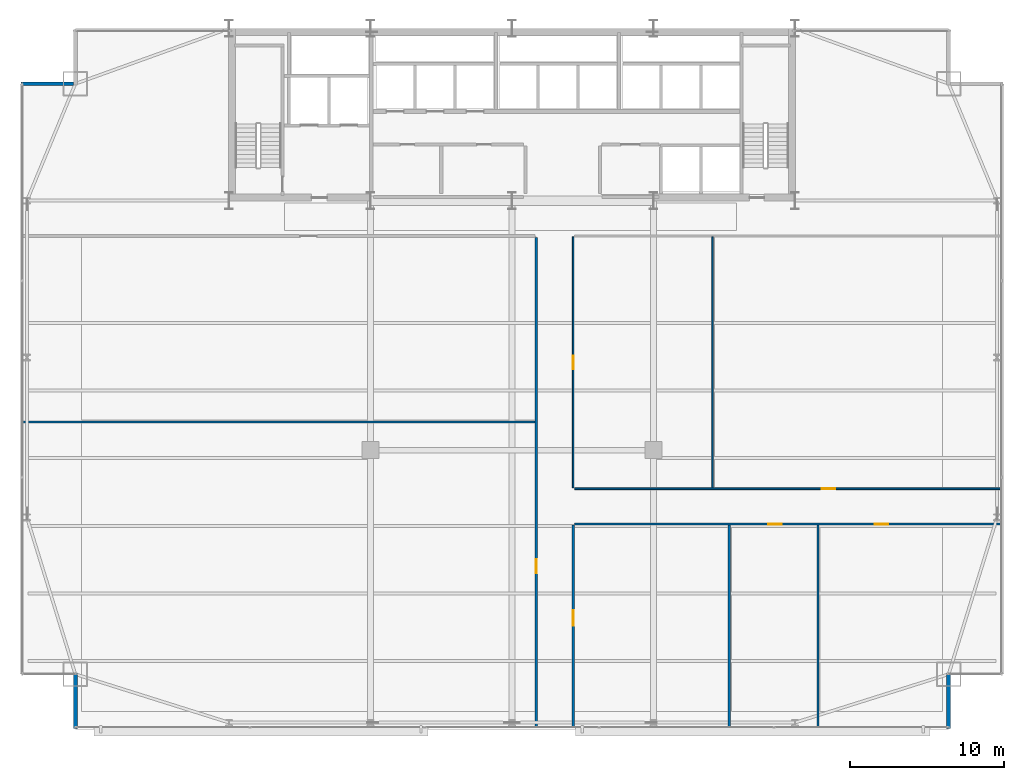
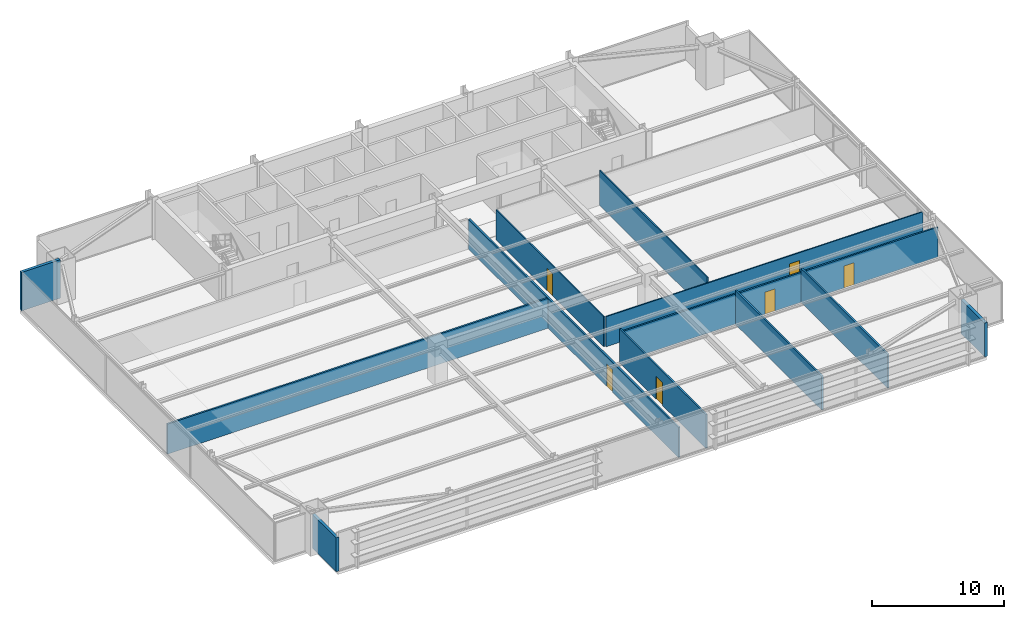
# One storey, part 28 of 32: 12 walls, 6 doors, 6 openings.
"""IFC4 building model written with IfcOpenShell, lengths in metres."""

from ifc_helpers import new_model, si_unit, direction, frame, frame_2d, origin, place, context, subcontext, project, spatial, rectangle, extrude, source, transform, mapped, material, layer, layer_set, type_object, type_shapes, element, fill, save


model = new_model("IFC4")

# Units and contexts
model_context = context("Model", 3, precision=1e-05, world=origin(), true_north=direction((0.0, 1.0)))
body_context = subcontext(model_context, "Body", "Model", "MODEL_VIEW")
ifc_project = project(units=[si_unit("LENGTHUNIT", "METRE"), si_unit("AREAUNIT", "SQUARE_METRE"), si_unit("VOLUMEUNIT", "CUBIC_METRE"), si_unit("PLANEANGLEUNIT", "RADIAN"), si_unit("MASSUNIT", "GRAM", prefix="KILO")], contexts=[model_context])

# Site, building, storey
site_placement = place(None, origin())
site = spatial("IfcSite", under=ifc_project, at=site_placement, CompositionType="ELEMENT")
building_placement = place(site_placement, origin())
building = spatial("IfcBuilding", under=site, at=building_placement, Name="Varnel Quay Broadcast Tower", CompositionType="ELEMENT")
storey_placement = place(building_placement, frame((0.0, 0.0, 78.300048828125)))
storey = spatial("IfcBuildingStorey", under=building, at=storey_placement, Name="L18", CompositionType="ELEMENT", Elevation=78.300048828125)

# Walls
ifc_material_1 = material(Name="Precast Architectural Concrete C40/50", Category="concrete")
ifc_layer_1 = layer(ifc_material_1, 0.25, Name="Precast Architectural Concrete C40/50")
ifc_layer_set_1 = layer_set([ifc_layer_1], Name="Precast Architectural Concrete C40/50")
wall_type_1 = type_object("IfcWallType", Name="Wall_ExtTerrace250", PredefinedType="SOLIDWALL", material=ifc_layer_set_1)
for number, where, z_axis, x_axis, name in (
    (1, (5.60009765625, 1.280029296875, 0.0), (0.0, 0.0, 1.0), (0.0, 1.0, 0.0), "L18 Mega-Column Notch Cladding Wall NSW2"),
    (2, (62.39990234375, 1.280029296875, 0.0), (0.0, 0.0, 1.0), (0.0, 1.0, 0.0), "L18 Mega-Column Notch Cladding Wall NSE2"),
):
    element("IfcWall", number, at=place(storey_placement, frame(where, z_axis=z_axis, x_axis=x_axis)), inside=storey, type_object=wall_type_1, Name=name, PredefinedType="SOLIDWALL", context=body_context, shape_type="SweptSolid", body=[
        extrude(rectangle(XDim=3.599853515625, YDim=0.25, at=frame_2d((1.7998046875, 0.0))), origin(), (0.0, 0.0, 1.0), 3.137939453125),
    ])
wall_1_placement = place(storey_placement, frame((2.080078125, 43.199951171875, 0.0), z_axis=(0.0, 0.0, 1.0), x_axis=(1.0, 0.0, 0.0)))
element("IfcWall", 3, at=wall_1_placement, inside=storey, type_object=wall_type_1, Name="L18 Mega-Column Notch Cladding Wall NNW1", PredefinedType="SOLIDWALL", context=body_context, shape_type="SweptSolid", body=[
    extrude(rectangle(XDim=3.389892578125, YDim=0.25, at=frame_2d((1.69482421875, 0.0))), origin(), (0.0, 0.0, 1.0), 3.56005859375),
])

# Wall, opening, door
ifc_material_2 = material(Name="Steel-Stud Fire-Rated Acoustic Gypsum Partition Assembly", Category="steel")
ifc_layer_2 = layer(ifc_material_2, 0.10498046875, Name="Steel-Stud Fire-Rated Acoustic Gypsum Partition Assembly")
ifc_layer_set_2 = layer_set([ifc_layer_2], Name="Steel-Stud Fire-Rated Acoustic Gypsum Partition Assembly")
wall_type_2 = type_object("IfcWallType", Name="Wall_Partition105", PredefinedType="PARTITIONING", material=ifc_layer_set_2)
wall_2_placement = place(storey_placement, frame((38.080078125, 16.860107421875, 0.0), z_axis=(0.0, 0.0, 1.0), x_axis=(1.0, 0.0, 0.0)))
wall_2 = element("IfcWall", 4, at=wall_2_placement, inside=storey, type_object=wall_type_2, Name="L18 Lens & Rigging Store 6 Partition 15", PredefinedType="PARTITIONING", context=body_context, shape_type="SweptSolid", body=[
    extrude(rectangle(XDim=27.739990234375, YDim=0.10498046875, at=frame_2d((13.8701171875, 0.0))), origin(), (0.0, 0.0, 1.0), 2.781982421875),
])
opening_1_placement = place(wall_2_placement, frame((16.080078125, 0.0, 0.0)))
opening_1 = element("IfcOpeningElement", 5, at=opening_1_placement, cuts=wall_2, Name="Opening D-L18-10", PredefinedType="OPENING", context=body_context, shape_type="SweptSolid", body=[
    extrude(rectangle(XDim=0.8798828125, YDim=2.06005859375, at=frame_2d((0.43994140625, 1.030029296875))), frame((0.0, 0.0625, 0.0), z_axis=(0.0, -1.0, 0.0), x_axis=(1.0, 0.0, 0.0)), (0.0, 0.0, 1.0), 0.125),
])
ifc_material_3 = material(Name="Solid-Core Fire-Rated Acoustic Oak Veneer Door", Category="wood")
door_type_1 = type_object("IfcDoorType", Name="Door_Booth880", OperationType="NOTDEFINED", PredefinedType="DOOR", material=ifc_material_3)
shared_shape_1 = source(origin(), body_context, "Body", "SweptSolid", [
    extrude(rectangle(XDim=0.8798828125, YDim=2.06005859375, at=frame_2d((0.43994140625, 1.030029296875))), frame((0.0, 0.02490234375, 0.0), z_axis=(0.0, -1.0, 0.0), x_axis=(1.0, 0.0, 0.0)), (0.0, 0.0, 1.0), 0.050048828125),
])
type_shapes(door_type_1, [shared_shape_1])
door_1_placement = place(opening_1_placement, origin())
door_1 = element("IfcDoor", 6, at=door_1_placement, inside=storey, type_object=door_type_1, Name="L18 Ingest Vault Store 7 Door D-L18-10", OperationType="SINGLE_SWING_RIGHT", OverallHeight=2.06005859375, OverallWidth=0.8798828125, PredefinedType="DOOR", context=body_context, shape_type="MappedRepresentation", body=[
    mapped(shared_shape_1, transform((0.0, 0.0, 0.0), x_axis=(1.0, 0.0, 0.0), y_axis=(0.0, 1.0, 0.0), z_axis=(0.0, 0.0, 1.0), scale=1.0)),
])
fill(opening_1, door_1)

# Wall
wall_3_placement = place(storey_placement, frame((47.050048828125, 16.912109375, 0.0), z_axis=(0.0, 0.0, 1.0), x_axis=(0.0, 1.0, 0.0)))
element("IfcWall", 7, at=wall_3_placement, inside=storey, type_object=wall_type_2, Name="L18 Lens & Rigging Store 6 Partition 16", PredefinedType="PARTITIONING", context=body_context, shape_type="SweptSolid", body=[
    extrude(rectangle(XDim=16.3349609375, YDim=0.10498046875, at=frame_2d((8.16748046875, 0.0))), origin(), (0.0, 0.0, 1.0), 3.251953125),
])

# Wall, opening, door
wall_4_placement = place(storey_placement, frame((37.97998046875, 16.912109375, 0.0), z_axis=(0.0, 0.0, 1.0), x_axis=(0.0, 1.0, 0.0)))
wall_4 = element("IfcWall", 8, at=wall_4_placement, inside=storey, type_object=wall_type_2, Name="L18 Lens & Rigging Store 6 Partition 18", PredefinedType="PARTITIONING", context=body_context, shape_type="SweptSolid", body=[
    extrude(rectangle(XDim=16.3349609375, YDim=0.10498046875, at=frame_2d((8.16748046875, 0.0))), origin(), (0.0, 0.0, 1.0), 2.781982421875),
])
opening_2_placement = place(wall_4_placement, frame((7.72802734375, 0.0, 0.0)))
opening_2 = element("IfcOpeningElement", 9, at=opening_2_placement, cuts=wall_4, Name="Opening D-L18-09", PredefinedType="OPENING", context=body_context, shape_type="SweptSolid", body=[
    extrude(rectangle(XDim=0.8798828125, YDim=2.06005859375, at=frame_2d((0.43994140625, 1.030029296875))), frame((0.0, 0.0625, 0.0), z_axis=(0.0, -1.0, 0.0), x_axis=(1.0, 0.0, 0.0)), (0.0, 0.0, 1.0), 0.125),
])
door_2_placement = place(opening_2_placement, frame((0.8798828125, 0.0, 0.0), z_axis=(0.0, 0.0, 1.0), x_axis=(-1.0, 0.0, 0.0)))
door_2 = element("IfcDoor", 10, at=door_2_placement, inside=storey, type_object=door_type_1, Name="L18 Lens & Rigging Store 6 Door D-L18-09", OperationType="SINGLE_SWING_LEFT", OverallHeight=2.06005859375, OverallWidth=0.8798828125, PredefinedType="DOOR", context=body_context, shape_type="MappedRepresentation", body=[
    mapped(shared_shape_1, transform((0.0, 0.0, 0.0), x_axis=(1.0, 0.0, 0.0), y_axis=(0.0, 1.0, 0.0), z_axis=(0.0, 0.0, 1.0), scale=1.0)),
])
fill(opening_2, door_2)

# Wall
ifc_layer_3 = layer(ifc_material_2, 0.139892578125, Name="Steel-Stud Fire-Rated Acoustic Gypsum Partition Assembly")
ifc_layer_set_3 = layer_set([ifc_layer_3], Name="Steel-Stud Fire-Rated Acoustic Gypsum Partition Assembly")
wall_type_3 = type_object("IfcWallType", Name="Wall_Partition140", PredefinedType="PARTITIONING", material=ifc_layer_set_3)
wall_5_placement = place(storey_placement, frame((48.1298828125, 1.3798828125, 0.0), z_axis=(0.0, 0.0, 1.0), x_axis=(0.0, 1.0, 0.0)))
element("IfcWall", 11, at=wall_5_placement, inside=storey, type_object=wall_type_3, Name="L18 Producer Lounge 3 Partition 11", PredefinedType="PARTITIONING", context=body_context, shape_type="SweptSolid", body=[
    extrude(rectangle(XDim=13.110107421875, YDim=0.139892578125, at=frame_2d((6.55517578125, 0.0))), origin(), (0.0, 0.0, 1.0), 3.137939453125),
])

# Wall, openings, doors
wall_6_placement = place(storey_placement, frame((38.080078125, 14.56005859375, 0.0), z_axis=(0.0, 0.0, 1.0), x_axis=(1.0, 0.0, 0.0)))
wall_6 = element("IfcWall", 12, at=wall_6_placement, inside=storey, type_object=wall_type_3, Name="L18 Producer Lounge 3 Partition 12", PredefinedType="PARTITIONING", context=body_context, shape_type="SweptSolid", body=[
    extrude(rectangle(XDim=27.739990234375, YDim=0.139892578125, at=frame_2d((13.8701171875, 0.0))), origin(), (0.0, 0.0, 1.0), 2.781982421875),
])
opening_3_placement = place(wall_6_placement, frame((12.594970703125, 0.0, 0.0)))
opening_3 = element("IfcOpeningElement", 13, at=opening_3_placement, cuts=wall_6, Name="Opening D-L18-07", PredefinedType="OPENING", context=body_context, shape_type="SweptSolid", body=[
    extrude(rectangle(XDim=0.8798828125, YDim=2.06005859375, at=frame_2d((0.43994140625, 1.030029296875))), frame((0.0, 0.080078125, 0.0), z_axis=(0.0, -1.0, 0.0), x_axis=(1.0, 0.0, 0.0)), (0.0, 0.0, 1.0), 0.159912109375),
])
opening_4_placement = place(wall_6_placement, frame((19.5048828125, 0.0, 0.0)))
opening_4 = element("IfcOpeningElement", 14, at=opening_4_placement, cuts=wall_6, Name="Opening D-L18-08", PredefinedType="OPENING", context=body_context, shape_type="SweptSolid", body=[
    extrude(rectangle(XDim=0.8798828125, YDim=2.06005859375, at=frame_2d((0.43994140625, 1.030029296875))), frame((0.0, 0.080078125, 0.0), z_axis=(0.0, -1.0, 0.0), x_axis=(1.0, 0.0, 0.0)), (0.0, 0.0, 1.0), 0.159912109375),
])
door_3_placement = place(opening_3_placement, frame((0.8798828125, 0.0, 0.0), z_axis=(0.0, 0.0, 1.0), x_axis=(-1.0, 0.0, 0.0)))
door_3 = element("IfcDoor", 15, at=door_3_placement, inside=storey, type_object=door_type_1, Name="L18 Tea Kitchen 4 Door D-L18-07", OperationType="SINGLE_SWING_LEFT", OverallHeight=2.06005859375, OverallWidth=0.8798828125, PredefinedType="DOOR", context=body_context, shape_type="MappedRepresentation", body=[
    mapped(shared_shape_1, transform((0.0, 0.0, 0.0), x_axis=(1.0, 0.0, 0.0), y_axis=(0.0, 1.0, 0.0), z_axis=(0.0, 0.0, 1.0), scale=1.0)),
])
fill(opening_3, door_3)
door_4_placement = place(opening_4_placement, frame((0.8798828125, 0.0, 0.0), z_axis=(0.0, 0.0, 1.0), x_axis=(-1.0, 0.0, 0.0)))
door_4 = element("IfcDoor", 16, at=door_4_placement, inside=storey, type_object=door_type_1, Name="L18 Media Tape Archive Store 5 Door D-L18-08", OperationType="SINGLE_SWING_RIGHT", OverallHeight=2.06005859375, OverallWidth=0.8798828125, PredefinedType="DOOR", context=body_context, shape_type="MappedRepresentation", body=[
    mapped(shared_shape_1, transform((0.0, 0.0, 0.0), x_axis=(1.0, 0.0, 0.0), y_axis=(0.0, 1.0, 0.0), z_axis=(0.0, 0.0, 1.0), scale=1.0)),
])
fill(opening_4, door_4)

# Wall, opening, door
wall_7_placement = place(storey_placement, frame((37.97998046875, 1.3798828125, 0.0), z_axis=(0.0, 0.0, 1.0), x_axis=(0.0, 1.0, 0.0)))
wall_7 = element("IfcWall", 17, at=wall_7_placement, inside=storey, type_object=wall_type_3, Name="L18 Producer Lounge 3 Partition 13", PredefinedType="PARTITIONING", context=body_context, shape_type="SweptSolid", body=[
    extrude(rectangle(XDim=13.110107421875, YDim=0.139892578125, at=frame_2d((6.55517578125, 0.0))), origin(), (0.0, 0.0, 1.0), 3.137939453125),
])
opening_5_placement = place(wall_7_placement, frame((6.570068359375, 0.0, 0.0)))
opening_5 = element("IfcOpeningElement", 18, at=opening_5_placement, cuts=wall_7, Name="Opening D-L18-06", PredefinedType="OPENING", context=body_context, shape_type="SweptSolid", body=[
    extrude(rectangle(XDim=1.0, YDim=2.10009765625, at=frame_2d((0.5, 1.050048828125))), frame((0.0, 0.080078125, 0.0), z_axis=(0.0, -1.0, 0.0), x_axis=(1.0, 0.0, 0.0)), (0.0, 0.0, 1.0), 0.159912109375),
])
door_type_2 = type_object("IfcDoorType", Name="Door_Exec1000", OperationType="NOTDEFINED", PredefinedType="DOOR", material=ifc_material_3)
shared_shape_2 = source(origin(), body_context, "Body", "SweptSolid", [
    extrude(rectangle(XDim=1.0, YDim=2.10009765625, at=frame_2d((0.5, 1.050048828125))), frame((0.0, 0.02490234375, 0.0), z_axis=(0.0, -1.0, 0.0), x_axis=(1.0, 0.0, 0.0)), (0.0, 0.0, 1.0), 0.050048828125),
])
type_shapes(door_type_2, [shared_shape_2])
door_5_placement = place(opening_5_placement, frame((1.0, 0.0, 0.0), z_axis=(0.0, 0.0, 1.0), x_axis=(-1.0, 0.0, 0.0)))
door_5 = element("IfcDoor", 19, at=door_5_placement, inside=storey, type_object=door_type_2, Name="L18 Producer Lounge 3 Door D-L18-06", OperationType="SINGLE_SWING_RIGHT", OverallHeight=2.10009765625, OverallWidth=1.0, PredefinedType="DOOR", context=body_context, shape_type="MappedRepresentation", body=[
    mapped(shared_shape_2, transform((0.0, 0.0, 0.0), x_axis=(1.0, 0.0, 0.0), y_axis=(0.0, 1.0, 0.0), z_axis=(0.0, 0.0, 1.0), scale=1.0)),
])
fill(opening_5, door_5)

ifc_layer_4 = layer(ifc_material_2, 0.14990234375, Name="Steel-Stud Fire-Rated Acoustic Gypsum Partition Assembly")
ifc_layer_set_4 = layer_set([ifc_layer_4], Name="Steel-Stud Fire-Rated Acoustic Gypsum Partition Assembly")
wall_type_4 = type_object("IfcWallType", Name="Wall_Partition150", PredefinedType="PARTITIONING", material=ifc_layer_set_4)
wall_8_placement = place(storey_placement, frame((35.580078125, 1.3798828125, 0.0), z_axis=(0.0, 0.0, 1.0), x_axis=(0.0, 1.0, 0.0)))
wall_8 = element("IfcWall", 20, at=wall_8_placement, inside=storey, type_object=wall_type_4, Name="L18 Color Timing Suite 1 Partition 8", PredefinedType="PARTITIONING", context=body_context, shape_type="SweptSolid", body=[
    extrude(rectangle(XDim=31.83203125, YDim=0.14990234375, at=frame_2d((15.916015625, 0.0))), origin(), (0.0, 0.0, 1.0), 2.781982421875),
])
opening_6_placement = place(wall_8_placement, frame((9.985107421875, 0.0, 0.0)))
opening_6 = element("IfcOpeningElement", 21, at=opening_6_placement, cuts=wall_8, Name="Opening D-L18-04", PredefinedType="OPENING", context=body_context, shape_type="SweptSolid", body=[
    extrude(rectangle(XDim=0.919921875, YDim=2.080078125, at=frame_2d((0.4599609375, 1.0400390625))), frame((0.0, 0.0849609375, 0.0), z_axis=(0.0, -1.0, 0.0), x_axis=(1.0, 0.0, 0.0)), (0.0, 0.0, 1.0), 0.169921875),
])
door_type_3 = type_object("IfcDoorType", Name="Door_Office920", OperationType="NOTDEFINED", PredefinedType="DOOR", material=ifc_material_3)
shared_shape_3 = source(origin(), body_context, "Body", "SweptSolid", [
    extrude(rectangle(XDim=0.919921875, YDim=2.080078125, at=frame_2d((0.4599609375, 1.0400390625))), frame((0.0, 0.02490234375, 0.0), z_axis=(0.0, -1.0, 0.0), x_axis=(1.0, 0.0, 0.0)), (0.0, 0.0, 1.0), 0.050048828125),
])
type_shapes(door_type_3, [shared_shape_3])
door_6_placement = place(opening_6_placement, origin())
door_6 = element("IfcDoor", 22, at=door_6_placement, inside=storey, type_object=door_type_3, Name="L18 Color Timing Suite 1 Door D-L18-04", OperationType="SINGLE_SWING_RIGHT", OverallHeight=2.080078125, OverallWidth=0.919921875, PredefinedType="DOOR", context=body_context, shape_type="MappedRepresentation", body=[
    mapped(shared_shape_3, transform((0.0, 0.0, 0.0), x_axis=(1.0, 0.0, 0.0), y_axis=(0.0, 1.0, 0.0), z_axis=(0.0, 0.0, 1.0), scale=1.0)),
])
fill(opening_6, door_6)

# Walls
wall_9_placement = place(storey_placement, frame((2.179931640625, 21.2099609375, 0.0), z_axis=(0.0, 0.0, 1.0), x_axis=(1.0, 0.0, 0.0)))
element("IfcWall", 23, at=wall_9_placement, inside=storey, type_object=wall_type_4, Name="L18 Color Timing Suite 1 Partition 9", PredefinedType="PARTITIONING", context=body_context, shape_type="SweptSolid", body=[
    extrude(rectangle(XDim=33.300048828125, YDim=0.14990234375, at=frame_2d((16.64990234375, 0.0))), origin(), (0.0, 0.0, 1.0), 2.781982421875),
])
wall_10_placement = place(storey_placement, frame((53.89990234375, 1.3798828125, 0.0), z_axis=(0.0, 0.0, 1.0), x_axis=(0.0, 1.0, 0.0)))
element("IfcWall", 24, at=wall_10_placement, inside=storey, type_object=wall_type_4, Name="L18 Tea Kitchen 4 Partition 14", PredefinedType="PARTITIONING", context=body_context, shape_type="SweptSolid", body=[
    extrude(rectangle(XDim=13.110107421875, YDim=0.14990234375, at=frame_2d((6.55517578125, 0.0))), origin(), (0.0, 0.0, 1.0), 3.137939453125),
])

save(model, "model.ifc")
